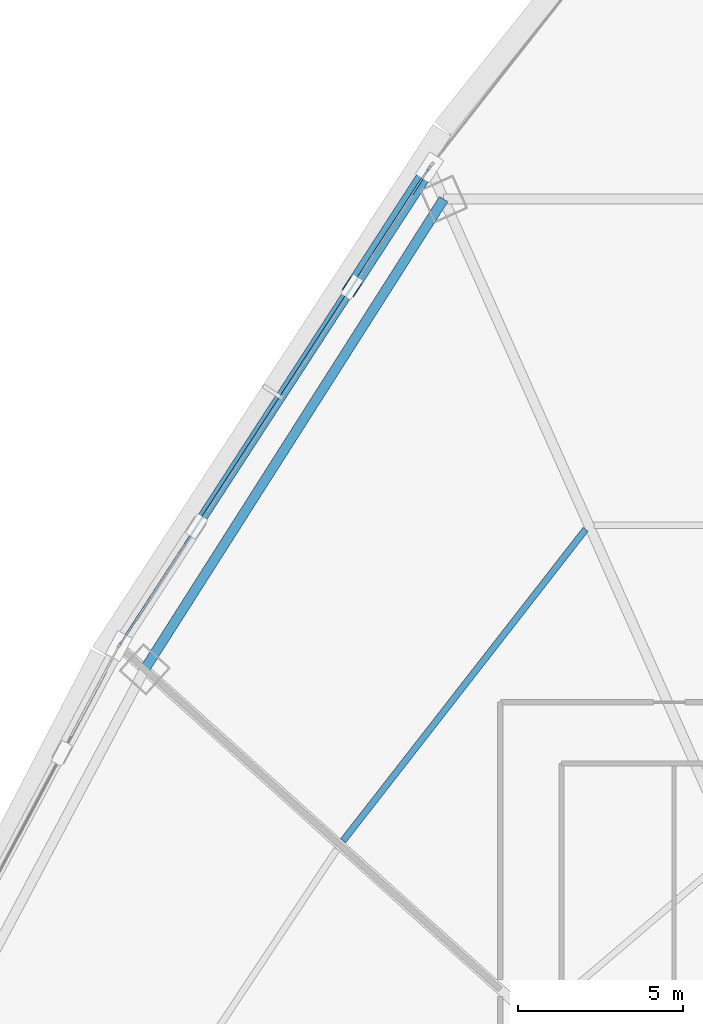
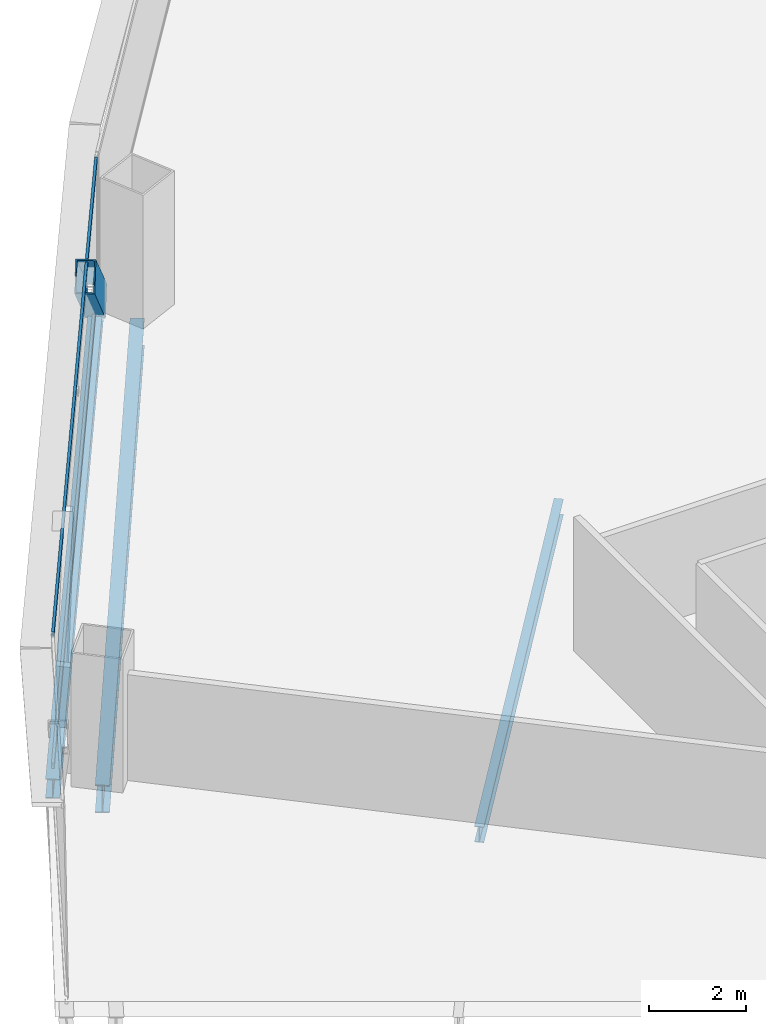
# One storey, part 17 of 41: 3 beams, 3 members, 1 element without a shape of its own.
"""IFC4 building model written with IfcOpenShell, lengths in metres."""

from ifc_helpers import new_model, si_unit, direction, frame, origin, origin_2d, place, context, subcontext, project, spatial, hollow_rectangle, i_section, extrude, source, transform, mapped, material, layer, layer_set, material_profile, profile_set, type_object, element, aggregate, save


model = new_model("IFC4")

# Units and contexts
model_context = context("Model", 3, precision=1e-05, world=origin(), true_north=direction((0.0, 1.0)))
body_context = subcontext(model_context, "Body", "Model", "MODEL_VIEW")
ifc_project = project(units=[si_unit("LENGTHUNIT", "METRE"), si_unit("AREAUNIT", "SQUARE_METRE"), si_unit("VOLUMEUNIT", "CUBIC_METRE"), si_unit("PLANEANGLEUNIT", "RADIAN"), si_unit("MASSUNIT", "GRAM", prefix="KILO"), si_unit("THERMODYNAMICTEMPERATUREUNIT", "KELVIN"), si_unit("POWERUNIT", "WATT")], contexts=[model_context])

# Site, building, storey
site_placement = place(None, origin())
site = spatial("IfcSite", under=ifc_project, at=site_placement, CompositionType="ELEMENT")
building_placement = place(site_placement, origin())
building = spatial("IfcBuilding", under=site, at=building_placement, Name="Yunzhuo Pagoda Commons", CompositionType="ELEMENT")
storey_placement = place(building_placement, frame((0.0, 0.0, 63.070068359375)))
storey = spatial("IfcBuildingStorey", under=building, at=storey_placement, Name="L16", CompositionType="ELEMENT", Elevation=63.070068359375)

# Beams
ifc_material_1 = material(Name="Structural steel Q355B", Category="steel")
ifc_material_profile_1 = material_profile(ifc_material_1, i_section(OverallWidth=0.300048828125, OverallDepth=0.699951171875, WebThickness=0.012939453125, FlangeThickness=0.02392578125, at=origin_2d()), Name="Structural steel Q355B")
ifc_profile_set_1 = profile_set([ifc_material_profile_1], Name="Structural steel Q355B")
beam_type_1 = type_object("IfcBeamType", Name="B-RG1 Beam HN 700x300x13x24", PredefinedType="BEAM", material=ifc_profile_set_1)
shared_shape_1 = source(origin(), body_context, "Body", "SweptSolid", [
    extrude(i_section(OverallWidth=0.300048828125, OverallDepth=0.699951171875, WebThickness=0.012939453125, FlangeThickness=0.02392578125, at=origin_2d()), origin(), (0.0, 0.0, 1.0), 16.843994140625),
])
beam_1_placement = place(storey_placement, frame((31.38916015625, 71.008544921875, -0.610107421875), z_axis=(-0.536558458992, -0.843863152462, 0.0), x_axis=(0.843863152462, -0.536558458992, 0.0)))
element("IfcBeam", 1, at=beam_1_placement, inside=storey, type_object=beam_type_1, Name="L16 column-ring beam 9", PredefinedType="BEAM", context=body_context, shape_type="MappedRepresentation", body=[
    mapped(shared_shape_1, transform((0.0, 0.0, 0.0), scale=1.0)),
])
ifc_material_profile_2 = material_profile(ifc_material_1, i_section(OverallWidth=0.199951171875, OverallDepth=0.39990234375, WebThickness=0.008056640625, FlangeThickness=0.012939453125, at=origin_2d()), Name="Structural steel Q355B")
ifc_profile_set_2 = profile_set([ifc_material_profile_2], Name="Structural steel Q355B")
beam_type_2 = type_object("IfcBeamType", Name="B-JS1 Joist HN 400x200x8x13", PredefinedType="JOIST", material=ifc_profile_set_2)
shared_shape_2 = source(origin(), body_context, "Body", "SweptSolid", [
    extrude(i_section(OverallWidth=0.199951171875, OverallDepth=0.39990234375, WebThickness=0.008056640625, FlangeThickness=0.012939453125, at=origin_2d()), origin(), (0.0, 0.0, 1.0), 11.934326171875),
])
beam_2_placement = place(storey_placement, frame((35.680908203125, 61.0244140625, -0.4599609375), z_axis=(-0.614546587023, -0.788880531119, 0.0), x_axis=(0.788880531119, -0.614546587023, 0.0)))
element("IfcBeam", 2, at=beam_2_placement, inside=storey, type_object=beam_type_2, Name="L16 composite ring joist 2.9", PredefinedType="JOIST", context=body_context, shape_type="MappedRepresentation", body=[
    mapped(shared_shape_2, transform((0.0, 0.0, 0.0), scale=1.0)),
])
ifc_material_profile_3 = material_profile(ifc_material_1, i_section(OverallWidth=0.300048828125, OverallDepth=0.488037109375, WebThickness=0.010986328125, FlangeThickness=0.01806640625, at=origin_2d()), Name="Structural steel Q355B")
ifc_profile_set_3 = profile_set([ifc_material_profile_3], Name="Structural steel Q355B")
beam_type_3 = type_object("IfcBeamType", Name="B-SP1 Beam HM 488x300x11x18", PredefinedType="BEAM", material=ifc_profile_set_3)
shared_shape_3 = source(origin(), body_context, "Body", "SweptSolid", [
    extrude(i_section(OverallWidth=0.300048828125, OverallDepth=0.488037109375, WebThickness=0.010986328125, FlangeThickness=0.01806640625, at=origin_2d()), origin(), (0.0, 0.0, 1.0), 17.251220703125),
])
beam_3_placement = place(storey_placement, frame((30.962158203125, 71.9677734375, -0.504150390625), z_axis=(-0.544376852456, -0.838840773037, 0.0), x_axis=(0.838840773037, -0.544376852456, 0.0)))
element("IfcBeam", 3, at=beam_3_placement, inside=storey, type_object=beam_type_3, Name="L16 facade edge spandrel beam F3.1", PredefinedType="BEAM", context=body_context, shape_type="MappedRepresentation", body=[
    mapped(shared_shape_3, transform((0.0, 0.0, 0.0), scale=1.0)),
])

# Member
ifc_material_2 = material(Name="Structural steel Q420B", Category="steel")
ifc_material_profile_4 = material_profile(ifc_material_2, hollow_rectangle(XDim=0.419921875, YDim=0.719970703125, WallThickness=0.028076171875, at=origin_2d()), Name="Structural steel Q420B")
ifc_profile_set_4 = profile_set([ifc_material_profile_4], Name="Structural steel Q420B")
member_type_1 = type_object("IfcMemberType", Name="M-DL1 Brace BOX 720x420x28", PredefinedType="BRACE", material=ifc_profile_set_4)
shared_shape_4 = source(origin(), body_context, "Body", "SweptSolid", [
    extrude(hollow_rectangle(XDim=0.419921875, YDim=0.719970703125, WallThickness=0.028076171875, at=origin_2d()), origin(), (0.0, 0.0, 1.0), 5.636962890625),
])
member_1_placement = place(storey_placement, frame((30.962158203125, 71.9677734375, -0.260009765625), z_axis=(-0.416512705398, -0.641768250867, 0.643933753131), x_axis=(0.838823653709, -0.544403231051, 0.0)))
element("IfcMember", 4, at=member_1_placement, inside=storey, type_object=member_type_1, Name="L16 facade diamond brace F3.1L", PredefinedType="BRACE", context=body_context, shape_type="MappedRepresentation", body=[
    mapped(shared_shape_4, transform((0.0, 0.0, 0.0), scale=1.0)),
])

# Curtain wall, members
ifc_material_3 = material(Name="Anodized aluminium 6063-T6", Category="aluminium")
ifc_layer = layer(ifc_material_3, 0.1650390625)
ifc_layer_set = layer_set([ifc_layer], Name="Anodized aluminium 6063-T6")
curtain_wall_type = type_object("IfcCurtainWallType", Name="CW-LOW Low-Zone Ribbon Curtain Wall", PredefinedType="NOTDEFINED", material=ifc_layer_set)
curtain_wall_placement = place(storey_placement, origin())
curtain_wall = element("IfcCurtainWall", 5, at=curtain_wall_placement, inside=storey, type_object=curtain_wall_type, Name="L16 curtain wall CW-L16-F3B2", PredefinedType="NOTDEFINED")
ifc_material_profile_5 = material_profile(ifc_material_3, hollow_rectangle(XDim=0.06005859375, YDim=0.139892578125, WallThickness=0.00341796875, at=origin_2d()), Name="Anodized aluminium 6063-T6")
ifc_profile_set_5 = profile_set([ifc_material_profile_5], Name="Anodized aluminium 6063-T6")
member_type_2 = type_object("IfcMemberType", Name="CW-LOW-T Transom RHS 140x60x3.5", PredefinedType="USERDEFINED", material=ifc_profile_set_5)
shared_shape_5 = source(origin(), body_context, "Body", "SweptSolid", [
    extrude(hollow_rectangle(XDim=0.06005859375, YDim=0.139892578125, WallThickness=0.00341796875, at=origin_2d()), origin(), (0.0, 0.0, 1.0), 17.120849609375),
])
member_2_placement = place(storey_placement, frame((30.9267578125, 71.9130859375, 0.030029296875), z_axis=(-0.544384232902, -0.838835983353, 0.0), x_axis=(0.838835983353, -0.544384232902, 0.0)))
member_2 = element("IfcMember", 6, at=member_2_placement, type_object=member_type_2, Name="CW transom 1.1", ObjectType="TRANSOM", PredefinedType="USERDEFINED", context=body_context, shape_type="MappedRepresentation", body=[
    mapped(shared_shape_5, transform((0.0, 0.0, 0.0), scale=1.0)),
])
member_3_placement = place(storey_placement, frame((30.9267578125, 71.9130859375, 3.33984375), z_axis=(-0.544384232902, -0.838835983353, 0.0), x_axis=(0.838835983353, -0.544384232902, 0.0)))
member_3 = element("IfcMember", 7, at=member_3_placement, type_object=member_type_2, Name="CW transom 1.2", ObjectType="TRANSOM", PredefinedType="USERDEFINED", context=body_context, shape_type="MappedRepresentation", body=[
    mapped(shared_shape_5, transform((0.0, 0.0, 0.0), scale=1.0)),
])
aggregate(curtain_wall, [member_2, member_3])

save(model, "model.ifc")
